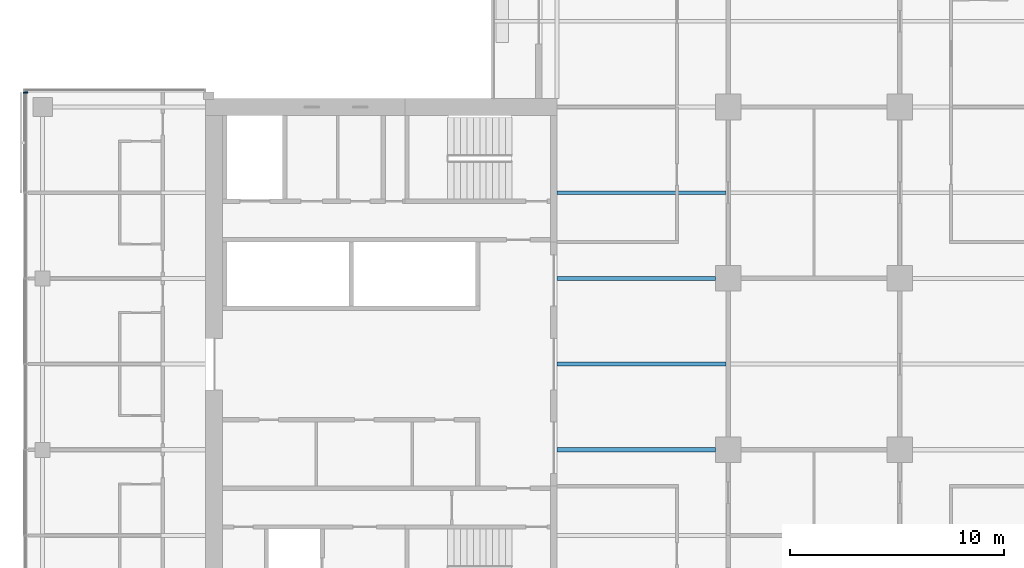
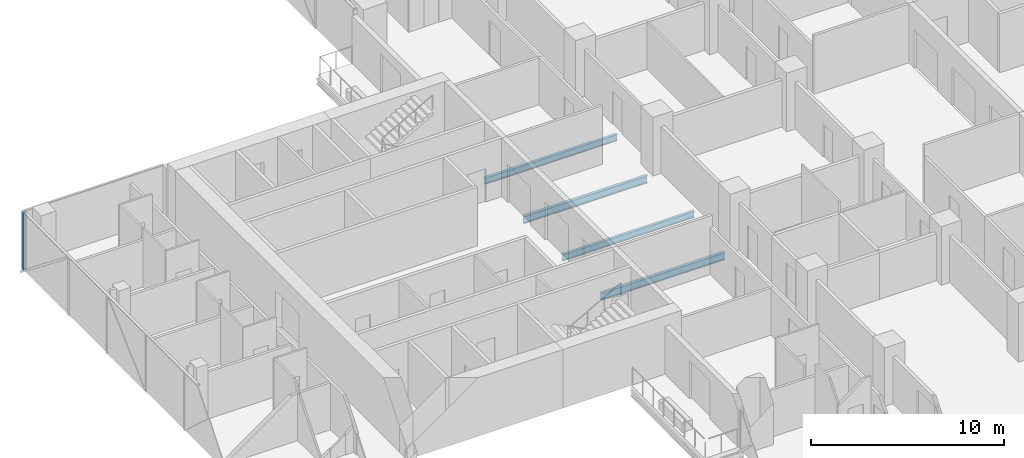
# One storey, part 7 of 27: 4 beams, 1 member, 1 element without a shape of its own.
"""IFC4 building model written with IfcOpenShell, lengths in metres."""

from ifc_helpers import new_model, si_unit, direction, frame, origin, origin_2d, place, context, subcontext, project, spatial, rectangle, i_section, extrude, material, material_profile, profile_set, type_object, element, aggregate, save


model = new_model("IFC4")

# Units and contexts
model_context = context("Model", 3, precision=1e-05, world=origin(), true_north=direction((0.0, 1.0)))
body_context = subcontext(model_context, "Body", "Model", "MODEL_VIEW")
ifc_project = project(units=[si_unit("LENGTHUNIT", "METRE"), si_unit("AREAUNIT", "SQUARE_METRE"), si_unit("VOLUMEUNIT", "CUBIC_METRE"), si_unit("PLANEANGLEUNIT", "RADIAN"), si_unit("MASSUNIT", "GRAM", prefix="KILO")], contexts=[model_context])

# Site, building, storey
site_placement = place(None, origin())
site = spatial("IfcSite", under=ifc_project, at=site_placement, CompositionType="ELEMENT")
building_placement = place(site_placement, origin())
building = spatial("IfcBuilding", under=site, at=building_placement, Name="Crosswind Convention Tower", CompositionType="ELEMENT")
storey_placement = place(building_placement, frame((0.0, 0.0, 68.300048828125)))
storey = spatial("IfcBuildingStorey", under=building, at=storey_placement, Name="L11", CompositionType="ELEMENT", Elevation=68.300048828125)

# Beams
ifc_material_1 = material(Name="Steel S355", Category="steel")
ifc_material_profile_1 = material_profile(ifc_material_1, i_section(OverallWidth=0.19189453125, OverallDepth=0.463623046875, WebThickness=0.010498046875, FlangeThickness=0.017578125, FilletRadius=0.01025390625, at=origin_2d()), Name="UB 457x191x90")
ifc_profile_set_1 = profile_set([ifc_material_profile_1], Name="Steel S355")
beam_type_1 = type_object("IfcBeamType", Name="Girder at core wall UB 457x191x90", PredefinedType="BEAM", material=ifc_profile_set_1)
for number, where, z_axis, x_axis, name in (
    (1, (113.0, 96.0, -0.511962890625), (1.0, 0.0, 0.0), (0.0, 1.0, 0.0), "B24 L11 girder at core wall 4"),
    (2, (113.0, 104.0, -0.511962890625), (1.0, 0.0, 0.0), (0.0, 1.0, 0.0), "B24 L11 girder at core wall 5"),
):
    element("IfcBeam", number, at=place(storey_placement, frame(where, z_axis=z_axis, x_axis=x_axis)), inside=storey, type_object=beam_type_1, Name=name, PredefinedType="BEAM", context=body_context, shape_type="SweptSolid", body=[
        extrude(i_section(OverallWidth=0.19189453125, OverallDepth=0.463623046875, WebThickness=0.010498046875, FlangeThickness=0.017578125, FilletRadius=0.01025390625, at=origin_2d()), origin(), (0.0, 0.0, 1.0), 7.39990234375),
    ])

# Curtain wall, member
ifc_material_2 = material(Name="Aluminium unitised curtain wall", Category="aluminium")
curtain_wall_type = type_object("IfcCurtainWallType", Name="HOTEL UNITISED WALL 200", PredefinedType="USERDEFINED", material=ifc_material_2)
curtain_wall_placement = place(storey_placement, origin())
curtain_wall = element("IfcCurtainWall", 3, at=curtain_wall_placement, inside=storey, type_object=curtain_wall_type, Name="CW2 L11 W-TIP 1", ObjectType="UNITISED", PredefinedType="USERDEFINED")
ifc_material_3 = material(Name="Aluminium mullion", Category="aluminium")
ifc_material_profile_2 = material_profile(ifc_material_3, rectangle(XDim=0.199951171875, YDim=0.06494140625, at=origin_2d()), Name="AL 200X65")
ifc_profile_set_2 = profile_set([ifc_material_profile_2], Name="Aluminium mullion")
member_type = type_object("IfcMemberType", Name="MULLION 65X200", PredefinedType="MULLION", material=ifc_profile_set_2)
member_placement = place(storey_placement, frame((88.199951171875, 112.66748046875, -0.280029296875), z_axis=(0.0, 0.0, 1.0), x_axis=(-1.0, 0.0, 0.0)))
member = element("IfcMember", 4, at=member_placement, type_object=member_type, Name="CW2 mullion 1", PredefinedType="MULLION", context=body_context, shape_type="SweptSolid", body=[
    extrude(rectangle(XDim=0.199951171875, YDim=0.06494140625, at=origin_2d()), origin(), (0.0, 0.0, 1.0), 3.635009765625),
])
aggregate(curtain_wall, [member])

# Beams
ifc_material_profile_3 = material_profile(ifc_material_1, i_section(OverallWidth=0.177734375, OverallDepth=0.406494140625, WebThickness=0.0078125, FlangeThickness=0.0126953125, FilletRadius=0.01025390625, at=origin_2d()), Name="UB 406x178x60")
ifc_profile_set_3 = profile_set([ifc_material_profile_3], Name="Steel S355")
beam_type_2 = type_object("IfcBeamType", Name="Secondary beam UB 406x178x60", PredefinedType="JOIST", material=ifc_profile_set_3)
for number, where, z_axis, x_axis, name in (
    (5, (113.0, 100.0, -0.483154296875), (1.0, 0.0, 0.0), (0.0, 1.0, 0.0), "B10 L11 secondary beam 5"),
    (6, (113.0, 108.0, -0.483154296875), (1.0, 0.0, 0.0), (0.0, 1.0, 0.0), "B10 L11 secondary beam 6"),
):
    element("IfcBeam", number, at=place(storey_placement, frame(where, z_axis=z_axis, x_axis=x_axis)), inside=storey, type_object=beam_type_2, Name=name, PredefinedType="JOIST", context=body_context, shape_type="SweptSolid", body=[
        extrude(i_section(OverallWidth=0.177734375, OverallDepth=0.406494140625, WebThickness=0.0078125, FlangeThickness=0.0126953125, FilletRadius=0.01025390625, at=origin_2d()), origin(), (0.0, 0.0, 1.0), 7.904296875),
    ])

save(model, "model.ifc")
